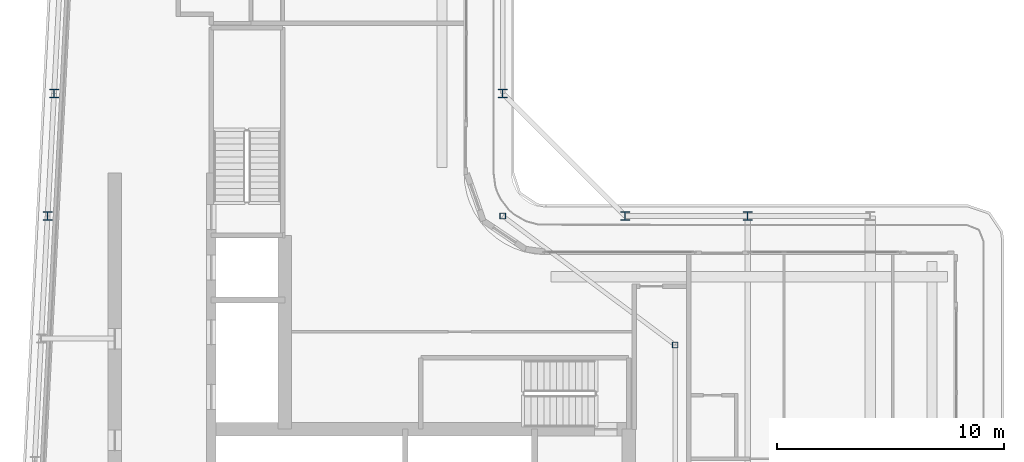
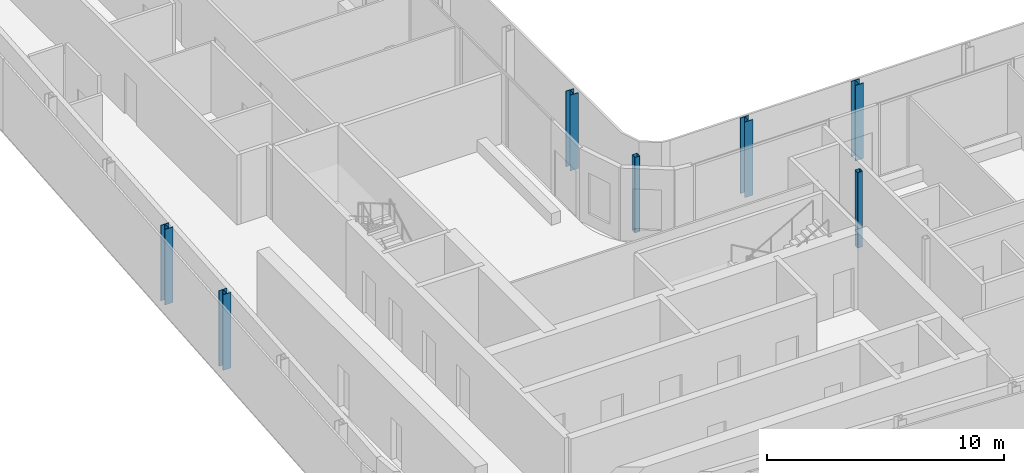
# One storey, part 2 of 21: 7 columns.
"""IFC4 building model written with IfcOpenShell, lengths in metres."""

from ifc_helpers import new_model, si_unit, direction, frame, origin, origin_2d, place, context, subcontext, project, spatial, hollow_rectangle, i_section, extrude, material, material_profile, profile_set, type_object, element, save


model = new_model("IFC4")

# Units and contexts
model_context = context("Model", 3, precision=1e-05, world=origin(), true_north=direction((0.0, 1.0)))
body_context = subcontext(model_context, "Body", "Model", "MODEL_VIEW")
ifc_project = project(units=[si_unit("LENGTHUNIT", "METRE"), si_unit("AREAUNIT", "SQUARE_METRE"), si_unit("VOLUMEUNIT", "CUBIC_METRE"), si_unit("PLANEANGLEUNIT", "RADIAN"), si_unit("MASSUNIT", "GRAM", prefix="KILO")], contexts=[model_context])

# Site, building, storey
site_placement = place(None, origin())
site = spatial("IfcSite", under=ifc_project, at=site_placement, CompositionType="ELEMENT")
building_placement = place(site_placement, origin())
building = spatial("IfcBuilding", under=site, at=building_placement, Name="Kheshtan School and Residences Tower", CompositionType="ELEMENT")
storey_placement = place(building_placement, frame((0.0, 0.0, 321.5)))
storey = spatial("IfcBuildingStorey", under=building, at=storey_placement, Name="L76", CompositionType="ELEMENT", Elevation=321.5)

# Columns
ifc_material_1 = material(Name="Steel ASTM A992 Grade 50", Category="steel")
ifc_material_profile_1 = material_profile(ifc_material_1, i_section(OverallWidth=0.39501953125, OverallDepth=0.3798828125, WebThickness=0.018798828125, FlangeThickness=0.0302734375, FilletRadius=0.011474609375, at=origin_2d()), Name="W360x237")
ifc_profile_set_1 = profile_set([ifc_material_profile_1], Name="Steel ASTM A992 Grade 50")
column_type_1 = type_object("IfcColumnType", Name="Column C5 W360x237 ASTM A992 Grade 50", PredefinedType="COLUMN", material=ifc_profile_set_1)
for number, where, z_axis, x_axis, name in (
    (1, (27.537109375, 45.60009765625, 0.0), (0.0, 0.0, 1.0), (1.0, 0.0, 0.0), "Column C059"),
    (2, (53.0, 45.60009765625, 0.0), (0.0, 0.0, 1.0), (1.0, 0.0, 0.0), "Column C061"),
    (3, (58.39990234375, 45.60009765625, 0.0), (0.0, 0.0, 1.0), (1.0, 0.0, 0.0), "Column C062"),
    (4, (27.822021484375, 51.0, 0.0), (0.0, 0.0, 1.0), (1.0, 0.0, 0.0), "Column C078"),
    (5, (47.60009765625, 51.0, 0.0), (0.0, 0.0, 1.0), (1.0, 0.0, 0.0), "Column C079"),
):
    element("IfcColumn", number, at=place(storey_placement, frame(where, z_axis=z_axis, x_axis=x_axis)), inside=storey, type_object=column_type_1, Name=name, PredefinedType="COLUMN", context=body_context, shape_type="SweptSolid", body=[
        extrude(i_section(OverallWidth=0.39501953125, OverallDepth=0.3798828125, WebThickness=0.018798828125, FlangeThickness=0.0302734375, FilletRadius=0.011474609375, at=origin_2d()), origin(), (0.0, 0.0, 1.0), 3.89990234375),
    ])
ifc_material_2 = material(Name="Steel ASTM A500 Grade C", Category="steel")
ifc_material_profile_2 = material_profile(ifc_material_2, hollow_rectangle(XDim=0.25390625, YDim=0.25390625, WallThickness=0.0126953125, InnerFilletRadius=0.0126953125, OuterFilletRadius=0.025390625, at=origin_2d()), Name="HSS 254x254x12.7")
ifc_profile_set_2 = profile_set([ifc_material_profile_2], Name="Steel ASTM A500 Grade C")
column_type_2 = type_object("IfcColumnType", Name="Column IC3 HSS 254x254x12.7 ASTM A500 Grade C", PredefinedType="COLUMN", material=ifc_profile_set_2)
for number, where, z_axis, x_axis, name in (
    (6, (55.199951171875, 39.916015625, 0.0), (0.0, 0.0, 1.0), (1.0, 0.0, 0.0), "Column C055"),
    (7, (47.60009765625, 45.60009765625, 0.0), (0.0, 0.0, 1.0), (1.0, 0.0, 0.0), "Column C060"),
):
    element("IfcColumn", number, at=place(storey_placement, frame(where, z_axis=z_axis, x_axis=x_axis)), inside=storey, type_object=column_type_2, Name=name, PredefinedType="COLUMN", context=body_context, shape_type="SweptSolid", body=[
        extrude(hollow_rectangle(XDim=0.25390625, YDim=0.25390625, WallThickness=0.0126953125, InnerFilletRadius=0.0126953125, OuterFilletRadius=0.025390625, at=origin_2d()), origin(), (0.0, 0.0, 1.0), 3.89990234375),
    ])

save(model, "model.ifc")
